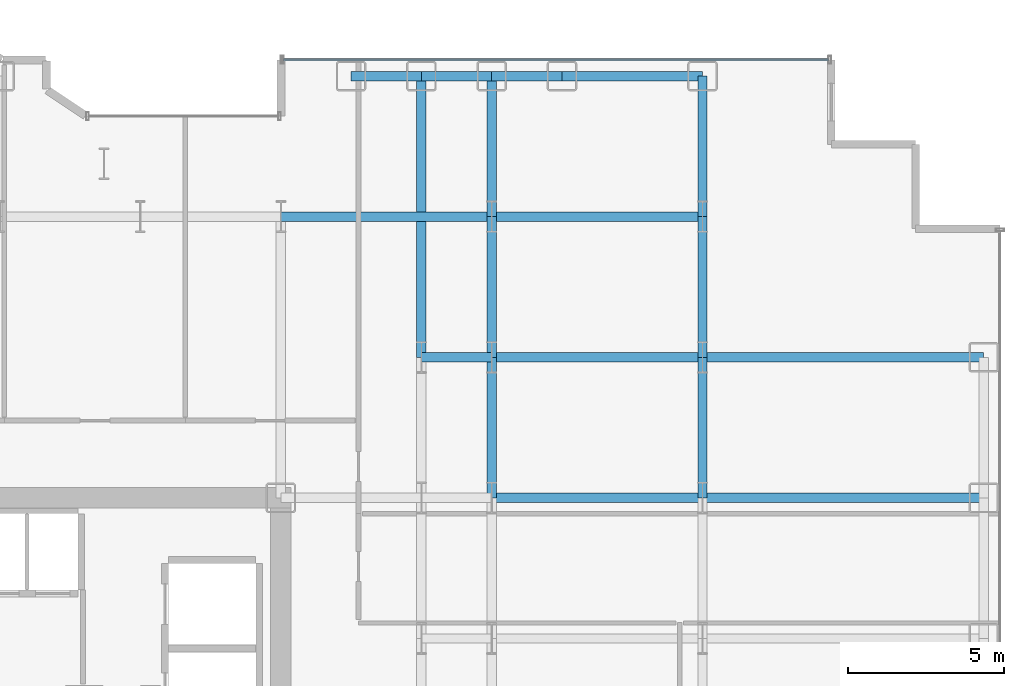
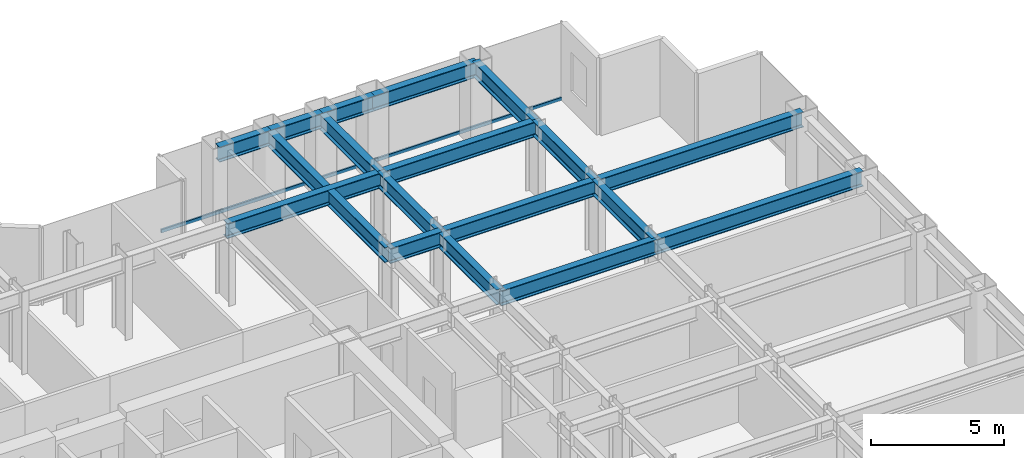
# One storey, part 13 of 26: 18 beams, 1 member, 1 element without a shape of its own.
"""IFC4 building model written with IfcOpenShell, lengths in metres."""

from ifc_helpers import new_model, si_unit, direction, frame, origin, origin_2d, place, context, subcontext, project, spatial, hollow_rectangle, i_section, extrude, source, transform, mapped, material, layer, layer_set, material_profile, profile_set, type_object, element, aggregate, save


model = new_model("IFC4")

# Units and contexts
model_context = context("Model", 3, precision=1e-05, world=origin(), true_north=direction((0.0, 1.0)))
body_context = subcontext(model_context, "Body", "Model", "MODEL_VIEW")
ifc_project = project(units=[si_unit("LENGTHUNIT", "METRE"), si_unit("AREAUNIT", "SQUARE_METRE"), si_unit("VOLUMEUNIT", "CUBIC_METRE"), si_unit("PLANEANGLEUNIT", "RADIAN"), si_unit("MASSUNIT", "GRAM", prefix="KILO")], contexts=[model_context])

# Site, building, storey
site_placement = place(None, origin())
site = spatial("IfcSite", under=ifc_project, at=site_placement, CompositionType="ELEMENT")
building_placement = place(site_placement, origin())
building = spatial("IfcBuilding", under=site, at=building_placement, Name="Nefas-Gora Pilgrimage Tower", CompositionType="ELEMENT")
storey_placement = place(building_placement, frame((0.0, 0.0, 40.60009765625)))
storey = spatial("IfcBuildingStorey", under=building, at=storey_placement, Name="L08", CompositionType="ELEMENT", Elevation=40.60009765625)

# Beams
ifc_material_1 = material(Name="Steel S355", Category="steel")
ifc_material_profile_1 = material_profile(ifc_material_1, i_section(OverallWidth=0.300048828125, OverallDepth=0.699951171875, WebThickness=0.01708984375, FlangeThickness=0.031982421875, FilletRadius=0.027099609375, at=origin_2d()), Name="HEB 700")
ifc_profile_set_1 = profile_set([ifc_material_profile_1], Name="Steel S355")
beam_type_1 = type_object("IfcBeamType", Name="BM-SPN-HEB600", PredefinedType="SPANDREL", material=ifc_profile_set_1)
shared_shape_1 = source(origin(), body_context, "Body", "SweptSolid", [
    extrude(i_section(OverallWidth=0.300048828125, OverallDepth=0.699951171875, WebThickness=0.01708984375, FlangeThickness=0.031982421875, FilletRadius=0.027099609375, at=origin_2d()), origin(), (0.0, 0.0, 1.0), 4.5),
])
beam_1_placement = place(storey_placement, frame((20.25, 22.5, 3.199951171875), z_axis=(1.0, 0.0, 0.0), x_axis=(0.0, 1.0, 0.0)))
element("IfcBeam", 1, at=beam_1_placement, inside=storey, type_object=beam_type_1, Name="L08 SP-01 beam", PredefinedType="SPANDREL", context=body_context, shape_type="MappedRepresentation", body=[
    mapped(shared_shape_1, transform((0.0, 0.0, 0.0), x_axis=(1.0, 0.0, 0.0), y_axis=(0.0, 1.0, 0.0), z_axis=(0.0, 0.0, 1.0), scale=1.0)),
])
ifc_material_profile_2 = material_profile(ifc_material_1, i_section(OverallWidth=0.300048828125, OverallDepth=0.699951171875, WebThickness=0.01708984375, FlangeThickness=0.031982421875, FilletRadius=0.027099609375, at=origin_2d()), Name="HEB 700")
ifc_profile_set_2 = profile_set([ifc_material_profile_2], Name="Steel S355")
beam_type_2 = type_object("IfcBeamType", Name="BM-GIR-HEB700", PredefinedType="BEAM", material=ifc_profile_set_2)
shared_shape_2 = source(origin(), body_context, "Body", "SweptSolid", [
    extrude(i_section(OverallWidth=0.300048828125, OverallDepth=0.699951171875, WebThickness=0.01708984375, FlangeThickness=0.031982421875, FilletRadius=0.027099609375, at=origin_2d()), origin(), (0.0, 0.0, 1.0), 9.0),
])
for number, where, z_axis, x_axis, name in (
    (2, (15.75, 13.5, 3.199951171875), (0.0, 1.0, 0.0), (-1.0, 0.0, 0.0), "L08 G-02 beam"),
    (3, (24.75, 9.0, 3.199951171875), (1.0, 0.0, 0.0), (0.0, 1.0, 0.0), "L08 G-02 beam"),
    (4, (24.75, 13.5, 3.199951171875), (1.0, 0.0, 0.0), (0.0, 1.0, 0.0), "L08 G-02 beam"),
):
    element("IfcBeam", number, at=place(storey_placement, frame(where, z_axis=z_axis, x_axis=x_axis)), inside=storey, type_object=beam_type_2, Name=name, PredefinedType="BEAM", context=body_context, shape_type="MappedRepresentation", body=[
        mapped(shared_shape_2, transform((0.0, 0.0, 0.0), x_axis=(1.0, 0.0, 0.0), y_axis=(0.0, 1.0, 0.0), z_axis=(0.0, 0.0, 1.0), scale=1.0)),
    ])
shared_shape_3 = source(origin(), body_context, "Body", "SweptSolid", [
    extrude(i_section(OverallWidth=0.300048828125, OverallDepth=0.699951171875, WebThickness=0.01708984375, FlangeThickness=0.031982421875, FilletRadius=0.027099609375, at=origin_2d()), origin(), (0.0, 0.0, 1.0), 4.5),
])
for number, where, z_axis, x_axis, name in (
    (5, (18.0, 9.0, 3.199951171875), (0.0, 1.0, 0.0), (-1.0, 0.0, 0.0), "L08 G-02 beam"),
    (6, (18.0, 13.5, 3.199951171875), (0.0, 1.0, 0.0), (-1.0, 0.0, 0.0), "L08 G-02 beam"),
    (7, (18.0, 18.0, 3.199951171875), (0.0, 1.0, 0.0), (-1.0, 0.0, 0.0), "L08 G-02 beam"),
    (8, (24.75, 9.0, 3.199951171875), (0.0, 1.0, 0.0), (-1.0, 0.0, 0.0), "L08 G-02 beam"),
    (9, (24.75, 13.5, 3.199951171875), (0.0, 1.0, 0.0), (-1.0, 0.0, 0.0), "L08 G-02 beam"),
    (10, (24.75, 18.0, 3.199951171875), (0.0, 1.0, 0.0), (-1.0, 0.0, 0.0), "L08 G-02 beam"),
):
    element("IfcBeam", number, at=place(storey_placement, frame(where, z_axis=z_axis, x_axis=x_axis)), inside=storey, type_object=beam_type_2, Name=name, PredefinedType="BEAM", context=body_context, shape_type="MappedRepresentation", body=[
        mapped(shared_shape_3, transform((0.0, 0.0, 0.0), x_axis=(1.0, 0.0, 0.0), y_axis=(0.0, 1.0, 0.0), z_axis=(0.0, 0.0, 1.0), scale=1.0)),
    ])
shared_shape_4 = source(origin(), body_context, "Body", "SweptSolid", [
    extrude(i_section(OverallWidth=0.300048828125, OverallDepth=0.699951171875, WebThickness=0.01708984375, FlangeThickness=0.031982421875, FilletRadius=0.027099609375, at=origin_2d()), origin(), (0.0, 0.0, 1.0), 6.75),
])
for number, where, z_axis, x_axis, name in (
    (11, (11.25, 18.0, 3.199951171875), (1.0, 0.0, 0.0), (0.0, 1.0, 0.0), "L08 G-02 beam"),
    (12, (18.0, 9.0, 3.199951171875), (1.0, 0.0, 0.0), (0.0, 1.0, 0.0), "L08 G-02 beam"),
    (13, (18.0, 13.5, 3.199951171875), (1.0, 0.0, 0.0), (0.0, 1.0, 0.0), "L08 G-02 beam"),
    (14, (18.0, 18.0, 3.199951171875), (1.0, 0.0, 0.0), (0.0, 1.0, 0.0), "L08 G-02 beam"),
):
    element("IfcBeam", number, at=place(storey_placement, frame(where, z_axis=z_axis, x_axis=x_axis)), inside=storey, type_object=beam_type_2, Name=name, PredefinedType="BEAM", context=body_context, shape_type="MappedRepresentation", body=[
        mapped(shared_shape_4, transform((0.0, 0.0, 0.0), x_axis=(1.0, 0.0, 0.0), y_axis=(0.0, 1.0, 0.0), z_axis=(0.0, 0.0, 1.0), scale=1.0)),
    ])
shared_shape_5 = source(origin(), body_context, "Body", "SweptSolid", [
    extrude(i_section(OverallWidth=0.300048828125, OverallDepth=0.699951171875, WebThickness=0.01708984375, FlangeThickness=0.031982421875, FilletRadius=0.027099609375, at=origin_2d()), origin(), (0.0, 0.0, 1.0), 2.25),
])
for number, where, z_axis, x_axis, name in (
    (15, (13.5, 22.5, 3.199951171875), (1.0, 0.0, 0.0), (0.0, 1.0, 0.0), "L08 SP-01 beam"),
    (16, (15.75, 22.5, 3.199951171875), (1.0, 0.0, 0.0), (0.0, 1.0, 0.0), "L08 SP-01 beam"),
    (17, (18.0, 22.5, 3.199951171875), (1.0, 0.0, 0.0), (0.0, 1.0, 0.0), "L08 SP-01 beam"),
):
    element("IfcBeam", number, at=place(storey_placement, frame(where, z_axis=z_axis, x_axis=x_axis)), inside=storey, type_object=beam_type_1, Name=name, PredefinedType="SPANDREL", context=body_context, shape_type="MappedRepresentation", body=[
        mapped(shared_shape_5, transform((0.0, 0.0, 0.0), x_axis=(1.0, 0.0, 0.0), y_axis=(0.0, 1.0, 0.0), z_axis=(0.0, 0.0, 1.0), scale=1.0)),
    ])
shared_shape_6 = source(origin(), body_context, "Body", "SweptSolid", [
    extrude(i_section(OverallWidth=0.300048828125, OverallDepth=0.699951171875, WebThickness=0.01708984375, FlangeThickness=0.031982421875, FilletRadius=0.027099609375, at=origin_2d()), origin(), (0.0, 0.0, 1.0), 2.25),
])
beam_2_placement = place(storey_placement, frame((15.75, 13.5, 3.199951171875), z_axis=(1.0, 0.0, 0.0), x_axis=(0.0, 1.0, 0.0)))
element("IfcBeam", 18, at=beam_2_placement, inside=storey, type_object=beam_type_2, Name="L08 G-02 beam", PredefinedType="BEAM", context=body_context, shape_type="MappedRepresentation", body=[
    mapped(shared_shape_6, transform((0.0, 0.0, 0.0), x_axis=(1.0, 0.0, 0.0), y_axis=(0.0, 1.0, 0.0), z_axis=(0.0, 0.0, 1.0), scale=1.0)),
])

# Curtain wall, member
ifc_material_2 = material(Name="Dark ceramic-fritted solar-control aluminium-glass curtain wall", Category="aluminium")
ifc_layer = layer(ifc_material_2, 0.219970703125)
ifc_layer_set = layer_set([ifc_layer], Name="Dark ceramic-fritted solar-control aluminium-glass curtain wall")
curtain_wall_type = type_object("IfcCurtainWallType", Name="CW-SYS-2", PredefinedType="NOTDEFINED", material=ifc_layer_set)
curtain_wall_placement = place(storey_placement, origin())
curtain_wall = element("IfcCurtainWall", 19, at=curtain_wall_placement, inside=storey, type_object=curtain_wall_type, Name="L08 Unitised Curtain Wall CW2", PredefinedType="NOTDEFINED")
ifc_material_3 = material(Name="Anodised architectural aluminium", Category="aluminium")
ifc_material_profile_3 = material_profile(ifc_material_3, hollow_rectangle(XDim=0.080078125, YDim=0.159912109375, WallThickness=0.00439453125, InnerFilletRadius=0.00439453125, OuterFilletRadius=0.009033203125, at=origin_2d()), Name="ALU TRANSOM 80x160")
ifc_profile_set_3 = profile_set([ifc_material_profile_3], Name="Anodised architectural aluminium")
member_type = type_object("IfcMemberType", Name="CWM-TRN-2", PredefinedType="USERDEFINED", material=ifc_profile_set_3)
shared_shape_7 = source(origin(), body_context, "Body", "SweptSolid", [
    extrude(hollow_rectangle(XDim=0.080078125, YDim=0.159912109375, WallThickness=0.00439453125, InnerFilletRadius=0.00439453125, OuterFilletRadius=0.009033203125, at=origin_2d()), origin(), (0.0, 0.0, 1.0), 17.43994140625),
])
member_placement = place(storey_placement, frame((28.780029296875, 23.02001953125, 0.0498046875), z_axis=(-1.0, 0.0, 0.0), x_axis=(0.0, -1.0, 0.0)))
member = element("IfcMember", 20, at=member_placement, type_object=member_type, Name="CW2 Spandrel Transom", ObjectType="TRANSOM", PredefinedType="USERDEFINED", context=body_context, shape_type="MappedRepresentation", body=[
    mapped(shared_shape_7, transform((0.0, 0.0, 0.0), x_axis=(1.0, 0.0, 0.0), y_axis=(0.0, 1.0, 0.0), z_axis=(0.0, 0.0, 1.0), scale=1.0)),
])
aggregate(curtain_wall, [member])

save(model, "model.ifc")
